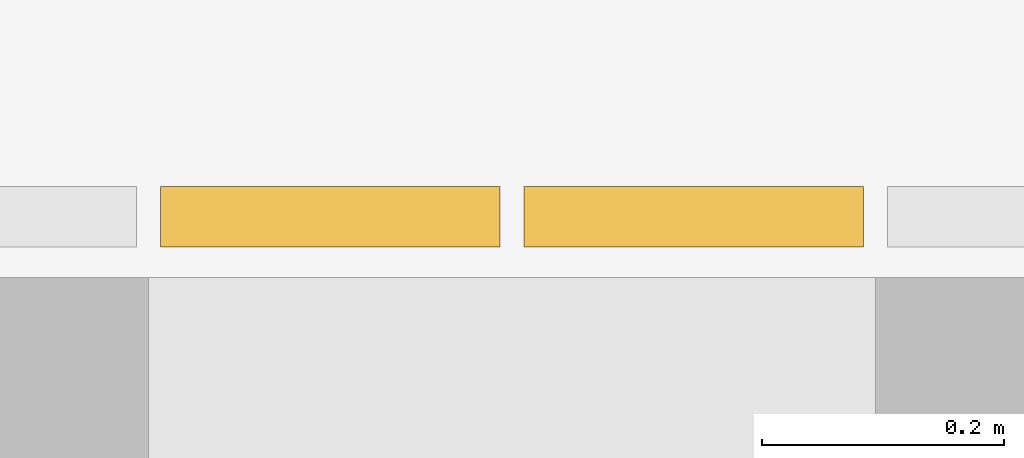
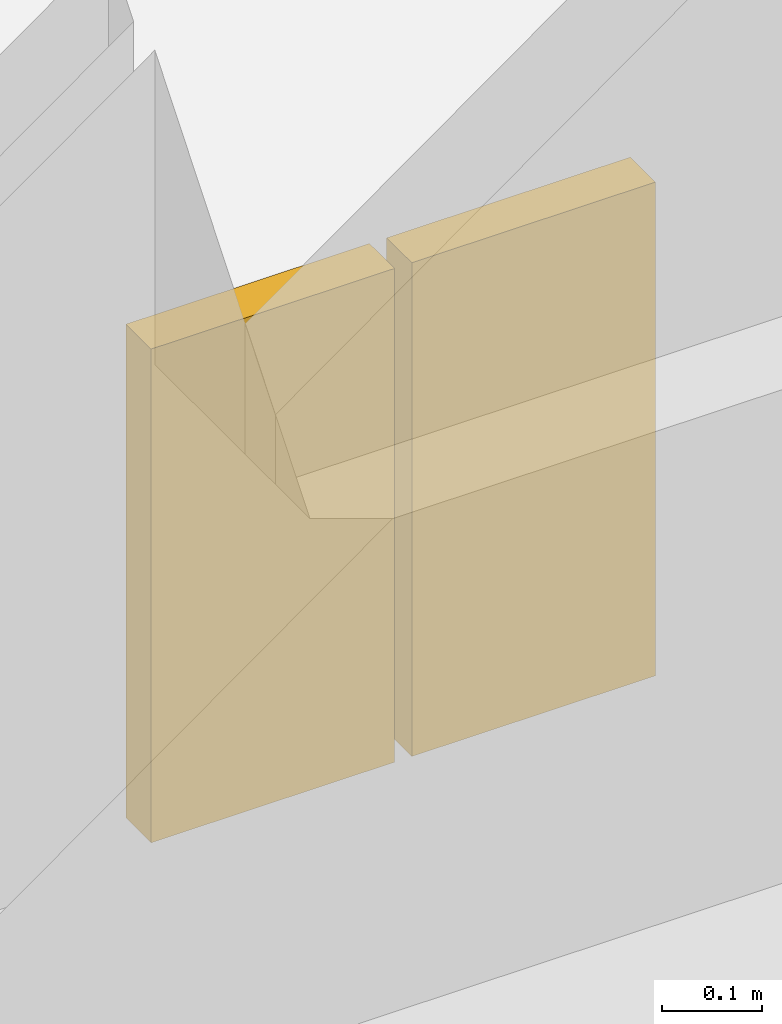
# One storey, part 85 of 86: 2 coverings.
"""IFC4 building model written with IfcOpenShell, lengths in metres."""

from ifc_helpers import new_model, si_unit, direction, frame, origin, origin_2d, place, context, subcontext, project, spatial, rectangle, extrude, material, layer, layer_set, type_object, element, save


model = new_model("IFC4")

# Units and contexts
model_context = context("Model", 3, precision=1e-05, world=origin(), true_north=direction((0.0, 1.0)))
body_context = subcontext(model_context, "Body", "Model", "MODEL_VIEW")
ifc_project = project(units=[si_unit("LENGTHUNIT", "METRE"), si_unit("AREAUNIT", "SQUARE_METRE"), si_unit("VOLUMEUNIT", "CUBIC_METRE"), si_unit("PLANEANGLEUNIT", "RADIAN"), si_unit("MASSUNIT", "GRAM", prefix="KILO")], contexts=[model_context])

# Site, building, storey
site_placement = place(None, origin())
site = spatial("IfcSite", under=ifc_project, at=site_placement, CompositionType="ELEMENT")
building_placement = place(site_placement, origin())
building = spatial("IfcBuilding", under=site, at=building_placement, Name="Guidao Yard Department Store", CompositionType="ELEMENT")
storey_placement = place(building_placement, origin())
storey = spatial("IfcBuildingStorey", under=building, at=storey_placement, Name="L00", CompositionType="ELEMENT", Elevation=0.0)

# Coverings
ifc_material = material(Name="Anodised aluminium 6063-T5 cladding", Category="aluminium")
ifc_layer = layer(ifc_material, 0.050048828125)
ifc_layer_set = layer_set([ifc_layer], Name="Facade cladding CP1 anodised aluminium panel 6063")
covering_type = type_object("IfcCoveringType", Name="Facade cladding CP1 anodised aluminium panel 6063", PredefinedType="CLADDING", material=ifc_layer_set)
for number, where, z_axis, x_axis, name in (
    (1, (157.35009765625, 27.22509765625, 0.0), (0.0, 0.0, 1.0), (1.0, 0.0, 0.0), "Core face cladding"),
    (2, (157.64990234375, 27.22509765625, 0.0), (0.0, 0.0, 1.0), (1.0, 0.0, 0.0), "Core face cladding"),
):
    element("IfcCovering", number, at=place(storey_placement, frame(where, z_axis=z_axis, x_axis=x_axis)), inside=storey, type_object=covering_type, Name=name, PredefinedType="CLADDING", context=body_context, shape_type="SweptSolid", body=[
        extrude(rectangle(XDim=0.280029296875, YDim=0.050048828125, at=origin_2d()), origin(), (0.0, 0.0, 1.0), 0.60009765625),
    ])

save(model, "model.ifc")
